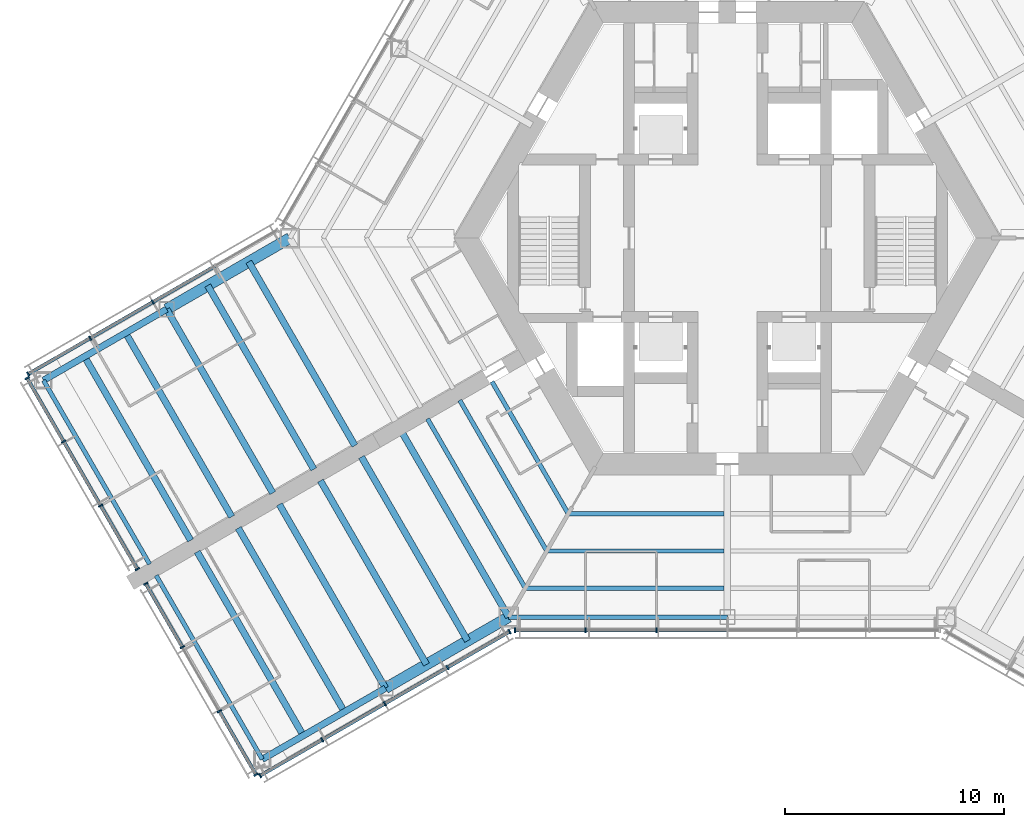
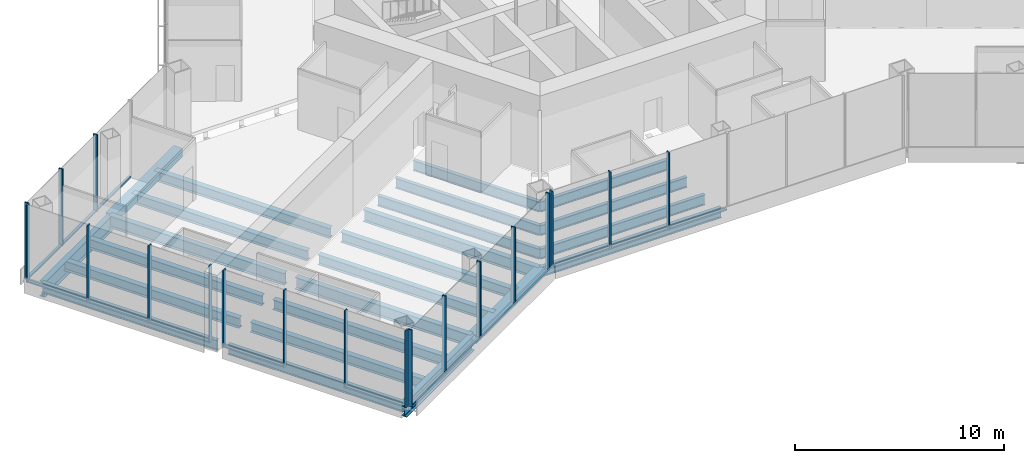
# One storey, part 2 of 18: 34 members, 24 beams, 5 elements without a shape of their own.
"""IFC4 building model written with IfcOpenShell, lengths in metres."""

from ifc_helpers import new_model, si_unit, direction, frame, origin, origin_2d, place, context, subcontext, project, spatial, rectangle, hollow_rectangle, i_section, extrude, material, material_profile, profile_set, type_object, element, aggregate, save


model = new_model("IFC4")

# Units and contexts
model_context = context("Model", 3, precision=1e-05, world=origin(), true_north=direction((0.0, 1.0)))
body_context = subcontext(model_context, "Body", "Model", "MODEL_VIEW")
ifc_project = project(units=[si_unit("LENGTHUNIT", "METRE"), si_unit("AREAUNIT", "SQUARE_METRE"), si_unit("VOLUMEUNIT", "CUBIC_METRE"), si_unit("PLANEANGLEUNIT", "RADIAN"), si_unit("MASSUNIT", "GRAM", prefix="KILO")], contexts=[model_context])

# Site, building, storey
site_placement = place(None, origin())
site = spatial("IfcSite", under=ifc_project, at=site_placement, CompositionType="ELEMENT")
building_placement = place(site_placement, origin())
building = spatial("IfcBuilding", under=site, at=building_placement, Name="Kasaneha Research Tower", CompositionType="ELEMENT")
storey_placement = place(building_placement, frame((0.0, 0.0, 128.60009765625)))
storey = spatial("IfcBuildingStorey", under=building, at=storey_placement, Name="L32", CompositionType="ELEMENT", Elevation=128.60009765625)

# Beams
ifc_material_1 = material(Name="Steel SN490B", Category="steel")
ifc_material_profile_1 = material_profile(ifc_material_1, i_section(OverallWidth=0.199951171875, OverallDepth=0.60009765625, WebThickness=0.010986328125, FlangeThickness=0.01708984375, FilletRadius=0.012939453125, at=origin_2d()), Name="H-600x200x11x17")
ifc_profile_set_1 = profile_set([ifc_material_profile_1], Name="Steel SN490B")
beam_type_1 = type_object("IfcBeamType", Name="B1-4 secondary beam H-600x200x11x17", PredefinedType="JOIST", material=ifc_profile_set_1)
beam_1_placement = place(storey_placement, frame((-7.274658203125, -12.60009765625, -0.5), z_axis=(-0.499994145342, 0.866028783947, 0.0), x_axis=(-0.866028783947, -0.499994145342, 0.0)))
element("IfcBeam", 1, at=beam_1_placement, inside=storey, type_object=beam_type_1, Name="Secondary beam RS210R1 L32", PredefinedType="JOIST", context=body_context, shape_type="SweptSolid", body=[
    extrude(i_section(OverallWidth=0.199951171875, OverallDepth=0.60009765625, WebThickness=0.010986328125, FlangeThickness=0.01708984375, FilletRadius=0.012939453125, at=origin_2d()), origin(), (0.0, 0.0, 1.0), 6.974609375),
])
beam_2_placement = place(storey_placement, frame((-8.256103515625, -14.300048828125, -0.5), z_axis=(-0.50000047647, 0.866025128694, 0.0), x_axis=(-0.866025128694, -0.50000047647, 0.0)))
element("IfcBeam", 2, at=beam_2_placement, inside=storey, type_object=beam_type_1, Name="Secondary beam RS210R2 L32", PredefinedType="JOIST", context=body_context, shape_type="SweptSolid", body=[
    extrude(i_section(OverallWidth=0.199951171875, OverallDepth=0.60009765625, WebThickness=0.010986328125, FlangeThickness=0.01708984375, FilletRadius=0.012939453125, at=origin_2d()), origin(), (0.0, 0.0, 1.0), 7.9560546875),
])
beam_3_placement = place(storey_placement, frame((-9.237548828125, -16.0, -0.5), z_axis=(-0.49999358888, 0.866029105215, 0.0), x_axis=(-0.866029105215, -0.49999358888, 0.0)))
element("IfcBeam", 3, at=beam_3_placement, inside=storey, type_object=beam_type_1, Name="Secondary beam RS210R3 L32", PredefinedType="JOIST", context=body_context, shape_type="SweptSolid", body=[
    extrude(i_section(OverallWidth=0.199951171875, OverallDepth=0.60009765625, WebThickness=0.010986328125, FlangeThickness=0.01708984375, FilletRadius=0.012939453125, at=origin_2d()), origin(), (0.0, 0.0, 1.0), 8.9375),
])
beam_4_placement = place(storey_placement, frame((-7.274658203125, -12.60009765625, -0.5), z_axis=(1.0, 0.0, 0.0), x_axis=(0.0, 1.0, 0.0)))
element("IfcBeam", 4, at=beam_4_placement, inside=storey, type_object=beam_type_1, Name="Secondary beam RS270L1 L32", PredefinedType="JOIST", context=body_context, shape_type="SweptSolid", body=[
    extrude(i_section(OverallWidth=0.199951171875, OverallDepth=0.60009765625, WebThickness=0.010986328125, FlangeThickness=0.01708984375, FilletRadius=0.012939453125, at=origin_2d()), origin(), (0.0, 0.0, 1.0), 7.124755859375),
])
beam_5_placement = place(storey_placement, frame((-8.256103515625, -14.300048828125, -0.5), z_axis=(1.0, 0.0, 0.0), x_axis=(0.0, 1.0, 0.0)))
element("IfcBeam", 5, at=beam_5_placement, inside=storey, type_object=beam_type_1, Name="Secondary beam RS270L2 L32", PredefinedType="JOIST", context=body_context, shape_type="SweptSolid", body=[
    extrude(i_section(OverallWidth=0.199951171875, OverallDepth=0.60009765625, WebThickness=0.010986328125, FlangeThickness=0.01708984375, FilletRadius=0.012939453125, at=origin_2d()), origin(), (0.0, 0.0, 1.0), 8.106201171875),
])
beam_6_placement = place(storey_placement, frame((-9.237548828125, -16.0, -0.5), z_axis=(1.0, 0.0, 0.0), x_axis=(0.0, 1.0, 0.0)))
element("IfcBeam", 6, at=beam_6_placement, inside=storey, type_object=beam_type_1, Name="Secondary beam RS270L3 L32", PredefinedType="JOIST", context=body_context, shape_type="SweptSolid", body=[
    extrude(i_section(OverallWidth=0.199951171875, OverallDepth=0.60009765625, WebThickness=0.010986328125, FlangeThickness=0.01708984375, FilletRadius=0.012939453125, at=origin_2d()), origin(), (0.0, 0.0, 1.0), 9.087646484375),
])
ifc_material_2 = material(Name="Steel SN490B", Category="steel")
ifc_material_profile_2 = material_profile(ifc_material_2, i_section(OverallWidth=0.300048828125, OverallDepth=0.58203125, WebThickness=0.011962890625, FlangeThickness=0.01708984375, FilletRadius=0.012939453125, at=origin_2d()), Name="H-582x300x12x17")
ifc_profile_set_2 = profile_set([ifc_material_profile_2], Name="Steel SN490B")
beam_type_2 = type_object("IfcBeamType", Name="B2-4 secondary beam H-582x300x12x17", PredefinedType="JOIST", material=ifc_profile_set_2)
beam_7_placement = place(storey_placement, frame((-21.87646484375, -1.083251953125, -0.4912109375), z_axis=(0.499999142773, -0.866025898704, 0.0), x_axis=(0.866025898704, 0.499999142773, 0.0)))
element("IfcBeam", 7, at=beam_7_placement, inside=storey, type_object=beam_type_2, Name="Secondary beam WBBP1 L32", PredefinedType="JOIST", context=body_context, shape_type="SweptSolid", body=[
    extrude(i_section(OverallWidth=0.300048828125, OverallDepth=0.58203125, WebThickness=0.011962890625, FlangeThickness=0.01708984375, FilletRadius=0.012939453125, at=origin_2d()), origin(), (0.0, 0.0, 1.0), 9.7001953125),
])
beam_8_placement = place(storey_placement, frame((-23.752685546875, -2.166748046875, -0.4912109375), z_axis=(0.499991164321, -0.866030505006, 0.0), x_axis=(0.866030505006, 0.499991164321, 0.0)))
element("IfcBeam", 8, at=beam_8_placement, inside=storey, type_object=beam_type_2, Name="Secondary beam WBBP2 L32", PredefinedType="JOIST", context=body_context, shape_type="SweptSolid", body=[
    extrude(i_section(OverallWidth=0.300048828125, OverallDepth=0.58203125, WebThickness=0.011962890625, FlangeThickness=0.01708984375, FilletRadius=0.012939453125, at=origin_2d()), origin(), (0.0, 0.0, 1.0), 9.699951171875),
])
beam_9_placement = place(storey_placement, frame((-27.505615234375, -4.333251953125, -0.4912109375), z_axis=(0.499999142773, -0.866025898704, 0.0), x_axis=(0.866025898704, 0.499999142773, 0.0)))
element("IfcBeam", 9, at=beam_9_placement, inside=storey, type_object=beam_type_2, Name="Secondary beam WBBP3 L32", PredefinedType="JOIST", context=body_context, shape_type="SweptSolid", body=[
    extrude(i_section(OverallWidth=0.300048828125, OverallDepth=0.58203125, WebThickness=0.011962890625, FlangeThickness=0.01708984375, FilletRadius=0.012939453125, at=origin_2d()), origin(), (0.0, 0.0, 1.0), 9.7001953125),
])
for number, where, z_axis, x_axis, name in (
    (10, (-29.3818359375, -5.416748046875, -0.4912109375), (0.499991164321, -0.866030505006, 0.0), (0.866030505006, 0.499991164321, 0.0), "Secondary beam WBBP4 L32"),
    (11, (-11.87646484375, -18.40380859375, -0.4912109375), (-0.499991164321, 0.866030505006, 0.0), (-0.866030505006, -0.499991164321, 0.0), "Secondary beam WBBN1 L32"),
    (12, (-13.752685546875, -19.487060546875, -0.4912109375), (-0.500010041276, 0.866019606374, 0.0), (-0.866019606374, -0.500010041276, 0.0), "Secondary beam WBBN2 L32"),
    (13, (-17.505615234375, -21.65380859375, -0.4912109375), (-0.499991164321, 0.866030505006, 0.0), (-0.866030505006, -0.499991164321, 0.0), "Secondary beam WBBN3 L32"),
    (14, (-19.3818359375, -22.737060546875, -0.4912109375), (-0.500010041276, 0.866019606374, 0.0), (-0.866019606374, -0.500010041276, 0.0), "Secondary beam WBBN4 L32"),
):
    element("IfcBeam", number, at=place(storey_placement, frame(where, z_axis=z_axis, x_axis=x_axis)), inside=storey, type_object=beam_type_2, Name=name, PredefinedType="JOIST", context=body_context, shape_type="SweptSolid", body=[
        extrude(i_section(OverallWidth=0.300048828125, OverallDepth=0.58203125, WebThickness=0.011962890625, FlangeThickness=0.01708984375, FilletRadius=0.012939453125, at=origin_2d()), origin(), (0.0, 0.0, 1.0), 9.699951171875),
    ])
ifc_material_3 = material(Name="Steel SN490B", Category="steel")
ifc_material_profile_3 = material_profile(ifc_material_3, hollow_rectangle(XDim=0.5, YDim=0.5, WallThickness=0.02197265625, at=origin_2d()), Name="BOX-500x500x22")
ifc_profile_set_3 = profile_set([ifc_material_profile_3], Name="Steel SN490B")
beam_type_3 = type_object("IfcBeamType", Name="BC1-4 belt chord BOX-500x500x22", PredefinedType="BEAM", material=ifc_profile_set_3)
for number, where, z_axis, x_axis, name in (
    (15, (-20.0, 0.0, -0.4501953125), (-0.866024837091, -0.50000098154, 0.0), (0.50000098154, -0.866024837091, 0.0), "Belt chord WSBP1 L32"),
    (16, (-10.0, -17.320556640625, -0.4501953125), (-0.866024837091, -0.50000098154, 0.0), (0.50000098154, -0.866024837091, 0.0), "Belt chord WSBN1 L32"),
):
    element("IfcBeam", number, at=place(storey_placement, frame(where, z_axis=z_axis, x_axis=x_axis)), inside=storey, type_object=beam_type_3, Name=name, PredefinedType="BEAM", context=body_context, shape_type="SweptSolid", body=[
        extrude(hollow_rectangle(XDim=0.5, YDim=0.5, WallThickness=0.02197265625, at=origin_2d()), origin(), (0.0, 0.0, 1.0), 6.5),
    ])

# Curtain wall, members
ifc_material_4 = material(Name="Glass and aluminium", Category="aluminium")
curtain_wall_type = type_object("IfcCurtainWallType", Name="Sky lobby curtain wall", PredefinedType="USERDEFINED", material=ifc_material_4)
curtain_wall_1_placement = place(storey_placement, origin())
curtain_wall_1 = element("IfcCurtainWall", 17, at=curtain_wall_1_placement, inside=storey, type_object=curtain_wall_type, Name="CW-S L32 run 01a", ObjectType="UNITISED CURTAIN WALL", PredefinedType="USERDEFINED")
ifc_material_5 = material(Name="Aluminium 6063-T6", Category="aluminium")
ifc_material_profile_4 = material_profile(ifc_material_5, rectangle(XDim=0.070068359375, YDim=0.219970703125, at=origin_2d()), Name="CW-S mullion 70x220")
ifc_profile_set_4 = profile_set([ifc_material_profile_4], Name="Aluminium 6063-T6")
member_type_1 = type_object("IfcMemberType", Name="CW-S mullion", PredefinedType="MULLION", material=ifc_profile_set_4)
member_1_placement = place(storey_placement, frame((-9.704345703125, -17.92041015625, 0.0), z_axis=(0.0, 0.0, 1.0), x_axis=(1.0, 0.0, 0.0)))
member_1 = element("IfcMember", 18, at=member_1_placement, type_object=member_type_1, Name="CW-S mullion 1", PredefinedType="MULLION", context=body_context, shape_type="SweptSolid", body=[
    extrude(rectangle(XDim=0.070068359375, YDim=0.219970703125, at=origin_2d()), origin(), (0.0, 0.0, 1.0), 4.5),
])
member_2_placement = place(storey_placement, frame((-6.492919921875, -17.92041015625, 0.0), z_axis=(0.0, 0.0, 1.0), x_axis=(1.0, 0.0, 0.0)))
member_2 = element("IfcMember", 19, at=member_2_placement, type_object=member_type_1, Name="CW-S mullion 2", PredefinedType="MULLION", context=body_context, shape_type="SweptSolid", body=[
    extrude(rectangle(XDim=0.070068359375, YDim=0.219970703125, at=origin_2d()), origin(), (0.0, 0.0, 1.0), 4.5),
])
member_3_placement = place(storey_placement, frame((-3.246337890625, -17.92041015625, 0.0), z_axis=(0.0, 0.0, 1.0), x_axis=(1.0, 0.0, 0.0)))
member_3 = element("IfcMember", 20, at=member_3_placement, type_object=member_type_1, Name="CW-S mullion 3", PredefinedType="MULLION", context=body_context, shape_type="SweptSolid", body=[
    extrude(rectangle(XDim=0.070068359375, YDim=0.219970703125, at=origin_2d()), origin(), (0.0, 0.0, 1.0), 4.5),
])

curtain_wall_2_placement = place(storey_placement, origin())
curtain_wall_2 = element("IfcCurtainWall", 21, at=curtain_wall_2_placement, inside=storey, type_object=curtain_wall_type, Name="CW-S L32 run 09a", ObjectType="UNITISED CURTAIN WALL", PredefinedType="USERDEFINED")
member_4_placement = place(storey_placement, frame((-26.258544921875, -2.920654296875, 0.0), z_axis=(0.0, 0.0, 1.0), x_axis=(-0.866025411464, -0.499999986699, 0.0)))
member_4 = element("IfcMember", 22, at=member_4_placement, type_object=member_type_1, Name="CW-S mullion 3", PredefinedType="MULLION", context=body_context, shape_type="SweptSolid", body=[
    extrude(rectangle(XDim=0.070068359375, YDim=0.219970703125, at=origin_2d()), origin(), (0.0, 0.0, 1.0), 4.5),
])
member_5_placement = place(storey_placement, frame((-29.125, -4.575439453125, 0.0), z_axis=(0.0, 0.0, 1.0), x_axis=(-0.866025411464, -0.499999986699, 0.0)))
member_5 = element("IfcMember", 23, at=member_5_placement, type_object=member_type_1, Name="CW-S mullion 4", PredefinedType="MULLION", context=body_context, shape_type="SweptSolid", body=[
    extrude(rectangle(XDim=0.070068359375, YDim=0.219970703125, at=origin_2d()), origin(), (0.0, 0.0, 1.0), 4.5),
])
member_6_placement = place(storey_placement, frame((-31.9609375, -6.212890625, 0.0), z_axis=(0.0, 0.0, 1.0), x_axis=(-0.866025411464, -0.499999986699, 0.0)))
member_6 = element("IfcMember", 24, at=member_6_placement, type_object=member_type_1, Name="CW-S mullion 5", PredefinedType="MULLION", context=body_context, shape_type="SweptSolid", body=[
    extrude(rectangle(XDim=0.070068359375, YDim=0.219970703125, at=origin_2d()), origin(), (0.0, 0.0, 1.0), 4.5),
])

curtain_wall_3_placement = place(storey_placement, origin())
curtain_wall_3 = element("IfcCurtainWall", 25, at=curtain_wall_3_placement, inside=storey, type_object=curtain_wall_type, Name="CW-S L32 run 10a", ObjectType="UNITISED CURTAIN WALL", PredefinedType="USERDEFINED")
member_7_placement = place(storey_placement, frame((-32.010498046875, -6.397216796875, 0.0), z_axis=(0.0, 0.0, 1.0), x_axis=(0.500000011442, -0.866025397178, 0.0)))
member_7 = element("IfcMember", 26, at=member_7_placement, type_object=member_type_1, Name="CW-S mullion 1", PredefinedType="MULLION", context=body_context, shape_type="SweptSolid", body=[
    extrude(rectangle(XDim=0.070068359375, YDim=0.219970703125, at=origin_2d()), origin(), (0.0, 0.0, 1.0), 4.5),
])
member_8_placement = place(storey_placement, frame((-30.336181640625, -9.297119140625, 0.0), z_axis=(0.0, 0.0, 1.0), x_axis=(0.500000011442, -0.866025397178, 0.0)))
member_8 = element("IfcMember", 27, at=member_8_placement, type_object=member_type_1, Name="CW-S mullion 2", PredefinedType="MULLION", context=body_context, shape_type="SweptSolid", body=[
    extrude(rectangle(XDim=0.070068359375, YDim=0.219970703125, at=origin_2d()), origin(), (0.0, 0.0, 1.0), 4.5),
])
member_9_placement = place(storey_placement, frame((-28.64453125, -12.22705078125, 0.0), z_axis=(0.0, 0.0, 1.0), x_axis=(0.500000011442, -0.866025397178, 0.0)))
member_9 = element("IfcMember", 28, at=member_9_placement, type_object=member_type_1, Name="CW-S mullion 3", PredefinedType="MULLION", context=body_context, shape_type="SweptSolid", body=[
    extrude(rectangle(XDim=0.070068359375, YDim=0.219970703125, at=origin_2d()), origin(), (0.0, 0.0, 1.0), 4.5),
])
member_10_placement = place(storey_placement, frame((-26.970458984375, -15.126953125, 0.0), z_axis=(0.0, 0.0, 1.0), x_axis=(0.500000011442, -0.866025397178, 0.0)))
member_10 = element("IfcMember", 29, at=member_10_placement, type_object=member_type_1, Name="CW-S mullion 4", PredefinedType="MULLION", context=body_context, shape_type="SweptSolid", body=[
    extrude(rectangle(XDim=0.070068359375, YDim=0.219970703125, at=origin_2d()), origin(), (0.0, 0.0, 1.0), 4.5),
])

curtain_wall_4_placement = place(storey_placement, origin())
curtain_wall_4 = element("IfcCurtainWall", 30, at=curtain_wall_4_placement, inside=storey, type_object=curtain_wall_type, Name="CW-S L32 run 11a", ObjectType="UNITISED CURTAIN WALL", PredefinedType="USERDEFINED")
member_11_placement = place(storey_placement, frame((-26.58544921875, -15.793701171875, 0.0), z_axis=(0.0, 0.0, 1.0), x_axis=(0.500000011442, -0.866025397178, 0.0)))
member_11 = element("IfcMember", 31, at=member_11_placement, type_object=member_type_1, Name="CW-S mullion 1", PredefinedType="MULLION", context=body_context, shape_type="SweptSolid", body=[
    extrude(rectangle(XDim=0.070068359375, YDim=0.219970703125, at=origin_2d()), origin(), (0.0, 0.0, 1.0), 4.5),
])
member_12_placement = place(storey_placement, frame((-24.911376953125, -18.693359375, 0.0), z_axis=(0.0, 0.0, 1.0), x_axis=(0.500000011442, -0.866025397178, 0.0)))
member_12 = element("IfcMember", 32, at=member_12_placement, type_object=member_type_1, Name="CW-S mullion 2", PredefinedType="MULLION", context=body_context, shape_type="SweptSolid", body=[
    extrude(rectangle(XDim=0.070068359375, YDim=0.219970703125, at=origin_2d()), origin(), (0.0, 0.0, 1.0), 4.5),
])
member_13_placement = place(storey_placement, frame((-23.2197265625, -21.62353515625, 0.0), z_axis=(0.0, 0.0, 1.0), x_axis=(0.500000011442, -0.866025397178, 0.0)))
member_13 = element("IfcMember", 33, at=member_13_placement, type_object=member_type_1, Name="CW-S mullion 3", PredefinedType="MULLION", context=body_context, shape_type="SweptSolid", body=[
    extrude(rectangle(XDim=0.070068359375, YDim=0.219970703125, at=origin_2d()), origin(), (0.0, 0.0, 1.0), 4.5),
])
member_14_placement = place(storey_placement, frame((-21.54541015625, -24.523193359375, 0.0), z_axis=(0.0, 0.0, 1.0), x_axis=(0.500000011442, -0.866025397178, 0.0)))
member_14 = element("IfcMember", 34, at=member_14_placement, type_object=member_type_1, Name="CW-S mullion 4", PredefinedType="MULLION", context=body_context, shape_type="SweptSolid", body=[
    extrude(rectangle(XDim=0.070068359375, YDim=0.219970703125, at=origin_2d()), origin(), (0.0, 0.0, 1.0), 4.5),
])

curtain_wall_5_placement = place(storey_placement, origin())
curtain_wall_5 = element("IfcCurtainWall", 35, at=curtain_wall_5_placement, inside=storey, type_object=curtain_wall_type, Name="CW-S L32 run 12a", ObjectType="UNITISED CURTAIN WALL", PredefinedType="USERDEFINED")
member_15_placement = place(storey_placement, frame((-21.361083984375, -24.572509765625, 0.0), z_axis=(0.0, 0.0, 1.0), x_axis=(0.866025411464, 0.499999986699, 0.0)))
member_15 = element("IfcMember", 36, at=member_15_placement, type_object=member_type_1, Name="CW-S mullion 1", PredefinedType="MULLION", context=body_context, shape_type="SweptSolid", body=[
    extrude(rectangle(XDim=0.070068359375, YDim=0.219970703125, at=origin_2d()), origin(), (0.0, 0.0, 1.0), 4.5),
])
member_16_placement = place(storey_placement, frame((-18.52490234375, -22.935302734375, 0.0), z_axis=(0.0, 0.0, 1.0), x_axis=(0.866025411464, 0.499999986699, 0.0)))
member_16 = element("IfcMember", 37, at=member_16_placement, type_object=member_type_1, Name="CW-S mullion 2", PredefinedType="MULLION", context=body_context, shape_type="SweptSolid", body=[
    extrude(rectangle(XDim=0.070068359375, YDim=0.219970703125, at=origin_2d()), origin(), (0.0, 0.0, 1.0), 4.5),
])
member_17_placement = place(storey_placement, frame((-15.65869140625, -21.2802734375, 0.0), z_axis=(0.0, 0.0, 1.0), x_axis=(0.866025411464, 0.499999986699, 0.0)))
member_17 = element("IfcMember", 38, at=member_17_placement, type_object=member_type_1, Name="CW-S mullion 3", PredefinedType="MULLION", context=body_context, shape_type="SweptSolid", body=[
    extrude(rectangle(XDim=0.070068359375, YDim=0.219970703125, at=origin_2d()), origin(), (0.0, 0.0, 1.0), 4.5),
])
member_18_placement = place(storey_placement, frame((-12.792236328125, -19.62548828125, 0.0), z_axis=(0.0, 0.0, 1.0), x_axis=(0.866025411464, 0.499999986699, 0.0)))
member_18 = element("IfcMember", 39, at=member_18_placement, type_object=member_type_1, Name="CW-S mullion 4", PredefinedType="MULLION", context=body_context, shape_type="SweptSolid", body=[
    extrude(rectangle(XDim=0.070068359375, YDim=0.219970703125, at=origin_2d()), origin(), (0.0, 0.0, 1.0), 4.5),
])
member_19_placement = place(storey_placement, frame((-9.9560546875, -17.988037109375, 0.0), z_axis=(0.0, 0.0, 1.0), x_axis=(0.866025411464, 0.499999986699, 0.0)))
member_19 = element("IfcMember", 40, at=member_19_placement, type_object=member_type_1, Name="CW-S mullion 5", PredefinedType="MULLION", context=body_context, shape_type="SweptSolid", body=[
    extrude(rectangle(XDim=0.070068359375, YDim=0.219970703125, at=origin_2d()), origin(), (0.0, 0.0, 1.0), 4.5),
])

# Member
ifc_material_6 = material(Name="Aluminium 6063-T6", Category="aluminium")
ifc_material_profile_5 = material_profile(ifc_material_6, rectangle(XDim=0.159912109375, YDim=0.070068359375, at=origin_2d()), Name="CW-S transom 160x70")
ifc_profile_set_5 = profile_set([ifc_material_profile_5], Name="Aluminium 6063-T6")
member_type_2 = type_object("IfcMemberType", Name="CW-S transom", PredefinedType="USERDEFINED", material=ifc_profile_set_5)
member_20_placement = place(storey_placement, frame((-9.669189453125, -17.92041015625, 0.034912109375), z_axis=(1.0, 0.0, 0.0), x_axis=(0.0, 1.0, 0.0)))
member_20 = element("IfcMember", 41, at=member_20_placement, type_object=member_type_2, Name="CW-S transom 1", ObjectType="TRANSOM", PredefinedType="USERDEFINED", context=body_context, shape_type="SweptSolid", body=[
    extrude(rectangle(XDim=0.159912109375, YDim=0.070068359375, at=origin_2d()), origin(), (0.0, 0.0, 1.0), 3.141357421875),
])

member_21_placement = place(storey_placement, frame((-6.457763671875, -17.92041015625, 0.034912109375), z_axis=(1.0, 0.0, 0.0), x_axis=(0.0, 1.0, 0.0)))
member_21 = element("IfcMember", 42, at=member_21_placement, type_object=member_type_2, Name="CW-S transom 2", ObjectType="TRANSOM", PredefinedType="USERDEFINED", context=body_context, shape_type="SweptSolid", body=[
    extrude(rectangle(XDim=0.159912109375, YDim=0.070068359375, at=origin_2d()), origin(), (0.0, 0.0, 1.0), 3.17626953125),
])

member_22_placement = place(storey_placement, frame((-3.21142578125, -17.92041015625, 0.034912109375), z_axis=(1.0, 0.0, 0.0), x_axis=(0.0, 1.0, 0.0)))
member_22 = element("IfcMember", 43, at=member_22_placement, type_object=member_type_2, Name="CW-S transom 3", ObjectType="TRANSOM", PredefinedType="USERDEFINED", context=body_context, shape_type="SweptSolid", body=[
    extrude(rectangle(XDim=0.159912109375, YDim=0.070068359375, at=origin_2d()), origin(), (0.0, 0.0, 1.0), 3.176513671875),
])

aggregate(curtain_wall_1, [member_1, member_2, member_3, member_20, member_21, member_22])

member_23_placement = place(storey_placement, frame((-23.422607421875, -1.283203125, 0.034912109375), z_axis=(-0.866022443901, -0.500005126634, 0.0), x_axis=(0.500005126634, -0.866022443901, 0.0)))
member_23 = element("IfcMember", 44, at=member_23_placement, type_object=member_type_2, Name="CW-S transom 2", ObjectType="TRANSOM", PredefinedType="USERDEFINED", context=body_context, shape_type="SweptSolid", body=[
    extrude(rectangle(XDim=0.159912109375, YDim=0.070068359375, at=origin_2d()), origin(), (0.0, 0.0, 1.0), 3.23974609375),
])

member_24_placement = place(storey_placement, frame((-26.288818359375, -2.93798828125, 0.034912109375), z_axis=(-0.866041282123, -0.499972496902, 0.0), x_axis=(0.499972496902, -0.866041282123, 0.0)))
member_24 = element("IfcMember", 45, at=member_24_placement, type_object=member_type_2, Name="CW-S transom 3", ObjectType="TRANSOM", PredefinedType="USERDEFINED", context=body_context, shape_type="SweptSolid", body=[
    extrude(rectangle(XDim=0.159912109375, YDim=0.070068359375, at=origin_2d()), origin(), (0.0, 0.0, 1.0), 3.239990234375),
])

member_25_placement = place(storey_placement, frame((-29.1552734375, -4.593017578125, 0.034912109375), z_axis=(-0.866035889079, -0.499981838497, 0.0), x_axis=(0.499981838497, -0.866035889079, 0.0)))
member_25 = element("IfcMember", 46, at=member_25_placement, type_object=member_type_2, Name="CW-S transom 4", ObjectType="TRANSOM", PredefinedType="USERDEFINED", context=body_context, shape_type="SweptSolid", body=[
    extrude(rectangle(XDim=0.159912109375, YDim=0.070068359375, at=origin_2d()), origin(), (0.0, 0.0, 1.0), 3.20458984375),
])

aggregate(curtain_wall_2, [member_4, member_5, member_6, member_23, member_24, member_25])

member_26_placement = place(storey_placement, frame((-31.992919921875, -6.427490234375, 0.034912109375), z_axis=(0.49996740399, -0.866044222282, 0.0), x_axis=(0.866044222282, 0.49996740399, 0.0)))
member_26 = element("IfcMember", 47, at=member_26_placement, type_object=member_type_2, Name="CW-S transom 1", ObjectType="TRANSOM", PredefinedType="USERDEFINED", context=body_context, shape_type="SweptSolid", body=[
    extrude(rectangle(XDim=0.159912109375, YDim=0.070068359375, at=origin_2d()), origin(), (0.0, 0.0, 1.0), 3.278564453125),
])

member_27_placement = place(storey_placement, frame((-30.31884765625, -9.327392578125, 0.034912109375), z_axis=(0.500022231494, -0.866012568045, 0.0), x_axis=(0.866012568045, 0.500022231494, 0.0)))
member_27 = element("IfcMember", 48, at=member_27_placement, type_object=member_type_2, Name="CW-S transom 2", ObjectType="TRANSOM", PredefinedType="USERDEFINED", context=body_context, shape_type="SweptSolid", body=[
    extrude(rectangle(XDim=0.159912109375, YDim=0.070068359375, at=origin_2d()), origin(), (0.0, 0.0, 1.0), 3.313232421875),
])

member_28_placement = place(storey_placement, frame((-28.627197265625, -12.25732421875, 0.034912109375), z_axis=(0.499999649218, -0.866025606308, 0.0), x_axis=(0.866025606308, 0.499999649218, 0.0)))
member_28 = element("IfcMember", 49, at=member_28_placement, type_object=member_type_2, Name="CW-S transom 3", ObjectType="TRANSOM", PredefinedType="USERDEFINED", context=body_context, shape_type="SweptSolid", body=[
    extrude(rectangle(XDim=0.159912109375, YDim=0.070068359375, at=origin_2d()), origin(), (0.0, 0.0, 1.0), 3.2783203125),
])

aggregate(curtain_wall_3, [member_7, member_8, member_9, member_10, member_26, member_27, member_28])

member_29_placement = place(storey_placement, frame((-26.56787109375, -15.823974609375, 0.034912109375), z_axis=(0.499999649218, -0.866025606308, 0.0), x_axis=(0.866025606308, 0.499999649218, 0.0)))
member_29 = element("IfcMember", 50, at=member_29_placement, type_object=member_type_2, Name="CW-S transom 1", ObjectType="TRANSOM", PredefinedType="USERDEFINED", context=body_context, shape_type="SweptSolid", body=[
    extrude(rectangle(XDim=0.159912109375, YDim=0.070068359375, at=origin_2d()), origin(), (0.0, 0.0, 1.0), 3.2783203125),
])

member_30_placement = place(storey_placement, frame((-23.2021484375, -21.65380859375, 0.034912109375), z_axis=(0.499999649218, -0.866025606308, 0.0), x_axis=(0.866025606308, 0.499999649218, 0.0)))
member_30 = element("IfcMember", 51, at=member_30_placement, type_object=member_type_2, Name="CW-S transom 3", ObjectType="TRANSOM", PredefinedType="USERDEFINED", context=body_context, shape_type="SweptSolid", body=[
    extrude(rectangle(XDim=0.159912109375, YDim=0.070068359375, at=origin_2d()), origin(), (0.0, 0.0, 1.0), 3.2783203125),
])

aggregate(curtain_wall_4, [member_11, member_12, member_13, member_14, member_29, member_30])

member_31_placement = place(storey_placement, frame((-21.330810546875, -24.55517578125, 0.034912109375), z_axis=(0.866021947353, 0.500005986668, 0.0), x_axis=(-0.500005986668, 0.866021947353, 0.0)))
member_31 = element("IfcMember", 52, at=member_31_placement, type_object=member_type_2, Name="CW-S transom 1", ObjectType="TRANSOM", PredefinedType="USERDEFINED", context=body_context, shape_type="SweptSolid", body=[
    extrude(rectangle(XDim=0.159912109375, YDim=0.070068359375, at=origin_2d()), origin(), (0.0, 0.0, 1.0), 3.205078125),
])

member_32_placement = place(storey_placement, frame((-18.49462890625, -22.917724609375, 0.034912109375), z_axis=(0.866022443901, 0.500005126634, 0.0), x_axis=(-0.500005126634, 0.866022443901, 0.0)))
member_32 = element("IfcMember", 53, at=member_32_placement, type_object=member_type_2, Name="CW-S transom 2", ObjectType="TRANSOM", PredefinedType="USERDEFINED", context=body_context, shape_type="SweptSolid", body=[
    extrude(rectangle(XDim=0.159912109375, YDim=0.070068359375, at=origin_2d()), origin(), (0.0, 0.0, 1.0), 3.23974609375),
])

member_33_placement = place(storey_placement, frame((-15.628173828125, -21.2626953125, 0.034912109375), z_axis=(0.866022443901, 0.500005126634, 0.0), x_axis=(-0.500005126634, 0.866022443901, 0.0)))
member_33 = element("IfcMember", 54, at=member_33_placement, type_object=member_type_2, Name="CW-S transom 3", ObjectType="TRANSOM", PredefinedType="USERDEFINED", context=body_context, shape_type="SweptSolid", body=[
    extrude(rectangle(XDim=0.159912109375, YDim=0.070068359375, at=origin_2d()), origin(), (0.0, 0.0, 1.0), 3.23974609375),
])

member_34_placement = place(storey_placement, frame((-12.761962890625, -19.60791015625, 0.034912109375), z_axis=(0.866035889079, 0.499981838497, 0.0), x_axis=(-0.499981838497, 0.866035889079, 0.0)))
member_34 = element("IfcMember", 55, at=member_34_placement, type_object=member_type_2, Name="CW-S transom 4", ObjectType="TRANSOM", PredefinedType="USERDEFINED", context=body_context, shape_type="SweptSolid", body=[
    extrude(rectangle(XDim=0.159912109375, YDim=0.070068359375, at=origin_2d()), origin(), (0.0, 0.0, 1.0), 3.20458984375),
])

aggregate(curtain_wall_5, [member_15, member_16, member_17, member_18, member_19, member_31, member_32, member_33, member_34])

# Beams
ifc_material_7 = material(Name="Steel SN490B", Category="steel")
ifc_material_profile_6 = material_profile(ifc_material_7, i_section(OverallWidth=0.300048828125, OverallDepth=0.69189453125, WebThickness=0.012939453125, FlangeThickness=0.02001953125, FilletRadius=0.01806640625, at=origin_2d()), Name="H-692x300x13x20")
ifc_profile_set_6 = profile_set([ifc_material_profile_6], Name="Steel SN490B")
beam_type_4 = type_object("IfcBeamType", Name="G3-4 plate edge girder H-692x300x13x20", PredefinedType="BEAM", material=ifc_profile_set_6)
beam_10_placement = place(storey_placement, frame((-10.0, -17.320556640625, -0.546142578125), z_axis=(-0.500010041276, 0.866019606374, 0.0), x_axis=(-0.866019606374, -0.500010041276, 0.0)))
element("IfcBeam", 56, at=beam_10_placement, inside=storey, type_object=beam_type_4, Name="Plate edge girder PEBN L32", PredefinedType="BEAM", context=body_context, shape_type="SweptSolid", body=[
    extrude(i_section(OverallWidth=0.300048828125, OverallDepth=0.69189453125, WebThickness=0.012939453125, FlangeThickness=0.02001953125, FilletRadius=0.01806640625, at=origin_2d()), origin(), (0.0, 0.0, 1.0), 9.699951171875),
])
ifc_material_8 = material(Name="Steel SN490B", Category="steel")
ifc_material_profile_7 = material_profile(ifc_material_8, i_section(OverallWidth=0.300048828125, OverallDepth=0.699951171875, WebThickness=0.012939453125, FlangeThickness=0.02392578125, FilletRadius=0.01806640625, at=origin_2d()), Name="H-700x300x13x24")
ifc_profile_set_7 = profile_set([ifc_material_profile_7], Name="Steel SN490B")
beam_type_5 = type_object("IfcBeamType", Name="G4-4 wing girder H-700x300x13x24", PredefinedType="BEAM", material=ifc_profile_set_7)
for number, where, z_axis, x_axis, name in (
    (57, (-25.629150390625, -3.25, -0.550048828125), (0.500010041276, -0.866019606374, 0.0), (0.866019606374, 0.500010041276, 0.0), "Wing girder WGBP L32"),
    (58, (-15.629150390625, -20.570556640625, -0.550048828125), (-0.500010041276, 0.866019606374, 0.0), (-0.866019606374, -0.500010041276, 0.0), "Wing girder WGBN L32"),
):
    element("IfcBeam", number, at=place(storey_placement, frame(where, z_axis=z_axis, x_axis=x_axis)), inside=storey, type_object=beam_type_5, Name=name, PredefinedType="BEAM", context=body_context, shape_type="SweptSolid", body=[
        extrude(i_section(OverallWidth=0.300048828125, OverallDepth=0.699951171875, WebThickness=0.012939453125, FlangeThickness=0.02392578125, FilletRadius=0.01806640625, at=origin_2d()), origin(), (0.0, 0.0, 1.0), 9.699951171875),
    ])
ifc_material_9 = material(Name="Steel SN490B", Category="steel")
ifc_material_profile_8 = material_profile(ifc_material_9, i_section(OverallWidth=0.198974609375, OverallDepth=0.595947265625, WebThickness=0.010009765625, FlangeThickness=0.014892578125, FilletRadius=0.012939453125, at=origin_2d()), Name="H-596x199x10x15")
ifc_profile_set_8 = profile_set([ifc_material_profile_8], Name="Steel SN490B")
beam_type_6 = type_object("IfcBeamType", Name="SB1-4 spandrel beam H-596x199x10x15", PredefinedType="SPANDREL", material=ifc_profile_set_8)
beam_11_placement = place(storey_placement, frame((-10.0, -17.320556640625, -0.498046875), z_axis=(1.0, 0.0, 0.0), x_axis=(0.0, 1.0, 0.0)))
element("IfcBeam", 59, at=beam_11_placement, inside=storey, type_object=beam_type_6, Name="Spandrel beam SR270L L32", PredefinedType="SPANDREL", context=body_context, shape_type="SweptSolid", body=[
    extrude(i_section(OverallWidth=0.198974609375, OverallDepth=0.595947265625, WebThickness=0.010009765625, FlangeThickness=0.014892578125, FilletRadius=0.012939453125, at=origin_2d()), origin(), (0.0, 0.0, 1.0), 10.0),
])
ifc_material_10 = material(Name="Steel SN490B", Category="steel")
ifc_material_profile_9 = material_profile(ifc_material_10, i_section(OverallWidth=0.300048828125, OverallDepth=0.89990234375, WebThickness=0.01611328125, FlangeThickness=0.028076171875, FilletRadius=0.01806640625, at=origin_2d()), Name="H-900x300x16x28")
ifc_profile_set_9 = profile_set([ifc_material_profile_9], Name="Steel SN490B")
beam_type_7 = type_object("IfcBeamType", Name="SB2-4 spandrel beam H-900x300x16x28", PredefinedType="SPANDREL", material=ifc_profile_set_9)
for number, where, z_axis, x_axis, name in (
    (60, (-25.629150390625, -3.25, -0.650146484375), (-0.866024837091, -0.50000098154, 0.0), (0.50000098154, -0.866024837091, 0.0), "Spandrel beam WSBP2 L32"),
    (61, (-15.629150390625, -20.570556640625, -0.650146484375), (-0.866024837091, -0.50000098154, 0.0), (0.50000098154, -0.866024837091, 0.0), "Spandrel beam WSBN2 L32"),
):
    element("IfcBeam", number, at=place(storey_placement, frame(where, z_axis=z_axis, x_axis=x_axis)), inside=storey, type_object=beam_type_7, Name=name, PredefinedType="SPANDREL", context=body_context, shape_type="SweptSolid", body=[
        extrude(i_section(OverallWidth=0.300048828125, OverallDepth=0.89990234375, WebThickness=0.01611328125, FlangeThickness=0.028076171875, FilletRadius=0.01806640625, at=origin_2d()), origin(), (0.0, 0.0, 1.0), 6.5),
    ])
ifc_material_11 = material(Name="Steel SN490B", Category="steel")
ifc_material_profile_10 = material_profile(ifc_material_11, i_section(OverallWidth=0.199951171875, OverallDepth=0.60009765625, WebThickness=0.010986328125, FlangeThickness=0.01708984375, FilletRadius=0.012939453125, at=origin_2d()), Name="H-600x200x11x17")
ifc_profile_set_10 = profile_set([ifc_material_profile_10], Name="Steel SN490B")
beam_type_8 = type_object("IfcBeamType", Name="SB3-4 spandrel beam H-600x200x11x17", PredefinedType="SPANDREL", material=ifc_profile_set_10)
for number, where, z_axis, x_axis, name in (
    (62, (-31.25830078125, -6.5, -0.5), (0.499991164321, -0.866030505006, 0.0), (0.866030505006, 0.499991164321, 0.0), "Spandrel beam WTBP L32"),
    (63, (-21.25830078125, -23.820556640625, -0.5), (-0.500010041276, 0.866019606374, 0.0), (-0.866019606374, -0.500010041276, 0.0), "Spandrel beam WTBN L32"),
):
    element("IfcBeam", number, at=place(storey_placement, frame(where, z_axis=z_axis, x_axis=x_axis)), inside=storey, type_object=beam_type_8, Name=name, PredefinedType="SPANDREL", context=body_context, shape_type="SweptSolid", body=[
        extrude(i_section(OverallWidth=0.199951171875, OverallDepth=0.60009765625, WebThickness=0.010986328125, FlangeThickness=0.01708984375, FilletRadius=0.012939453125, at=origin_2d()), origin(), (0.0, 0.0, 1.0), 9.699951171875),
    ])

save(model, "model.ifc")
